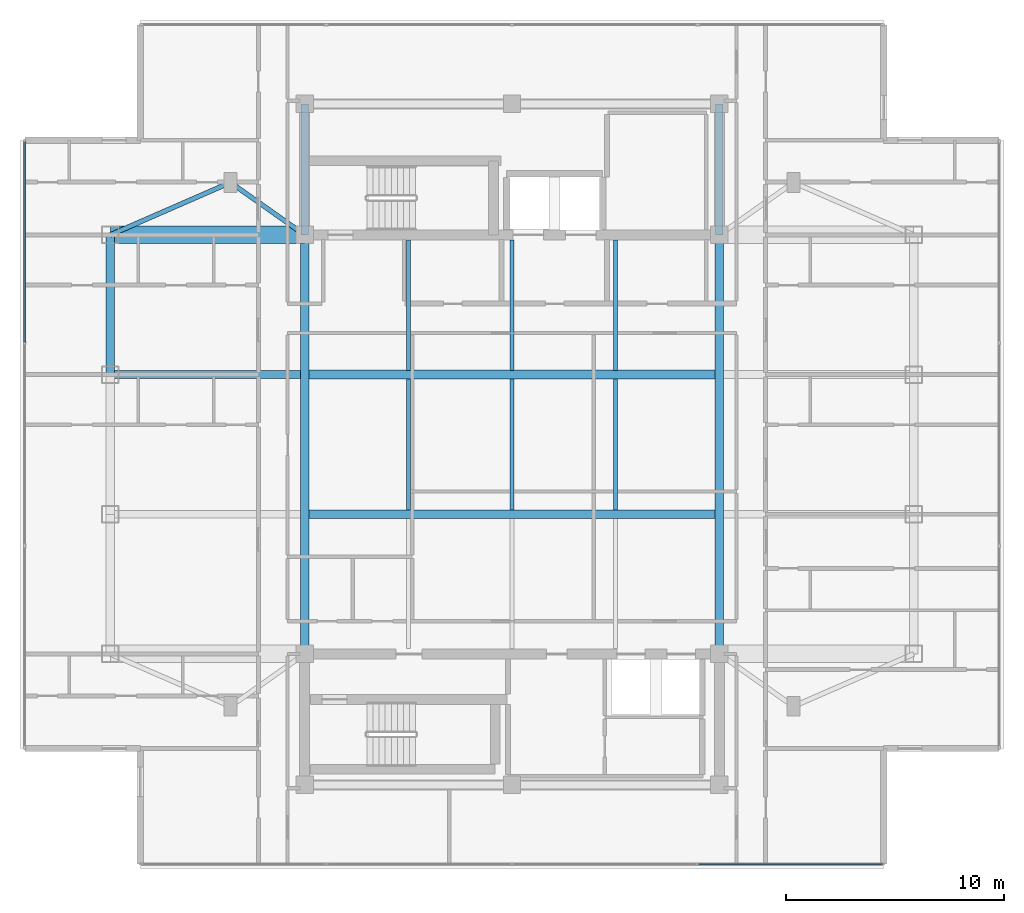
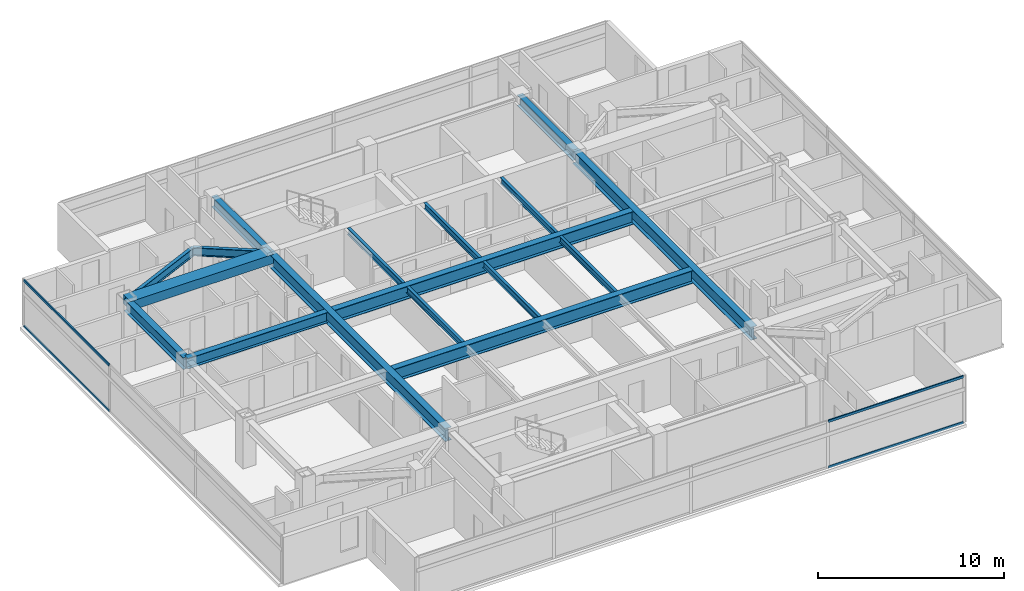
# One storey, part 3 of 14: 17 beams, 4 members, 2 elements without a shape of their own.
"""IFC4 building model written with IfcOpenShell, lengths in metres."""

import ifcopenshell
import ifcopenshell.guid

model = None  # the IFC model being written
_history = None  # IfcOwnerHistory: only IFC2X3 demands one
_inside = {}  # id of a spatial element -> (the spatial element, [elements in it])
_under = {}  # id of a project, library or spatial element -> (it, [spatial elements below it])
_declared = {}  # id of a project -> (the project, [libraries it declares])
_typed = {}  # id of a type object -> (the type object, [elements of that type])
_made_of = {}  # id of a material, layer set ... -> (it, [elements and type objects made of it])


def new_model(schema):
    """Start an empty IFC model of exactly this schema.

    Asked for "IFC4X3", IfcOpenShell would pick the latest addendum, in which some entities
    have other attributes; the version numbers below select the first issue.
    IFC2X3 requires an IfcOwnerHistory on every rooted entity: one is made here for all.
    """
    global model, _history
    if schema == "IFC4X3":
        model = ifcopenshell.file(schema_version=(4, 3, 0, 0))
    else:
        model = ifcopenshell.file(schema=schema)
    _inside.clear()
    _under.clear()
    _declared.clear()
    _typed.clear()
    _made_of.clear()
    _history = None
    if model.schema == "IFC2X3":
        org = make("IfcOrganization", Name="unknown")
        user = make(
            "IfcPersonAndOrganization",
            ThePerson=make("IfcPerson", FamilyName="unknown"),
            TheOrganization=org,
        )
        app = make(
            "IfcApplication",
            ApplicationDeveloper=org,
            Version="unknown",
            ApplicationFullName="unknown",
            ApplicationIdentifier="unknown",
        )
        _history = make(
            "IfcOwnerHistory",
            OwningUser=user,
            OwningApplication=app,
            ChangeAction="ADDED",
            CreationDate=0,
        )
    return model


def make(cls, **values):
    """One entity of the class cls with the attributes given. An attribute that is None is left unset."""
    return model.create_entity(
        cls, **{name: value for name, value in values.items() if value is not None}
    )


def rooted(cls, **values):
    """An entity with a GlobalId (a new one), such as an element, a storey or a relation."""
    return make(cls, GlobalId=ifcopenshell.guid.new(), OwnerHistory=_history, **values)


def si_unit(unit_type, name, prefix=None):
    """IfcSIUnit, for example si_unit("LENGTHUNIT", "METRE", prefix="MILLI")."""
    return make("IfcSIUnit", UnitType=unit_type, Prefix=prefix, Name=name)


def assignment(units):
    """IfcUnitAssignment: the units of a project."""
    return None if units is None else make("IfcUnitAssignment", Units=units)


def point(xyz):
    """IfcCartesianPoint."""
    return None if xyz is None else make("IfcCartesianPoint", Coordinates=xyz)


def direction(xyz):
    """IfcDirection."""
    return None if xyz is None else make("IfcDirection", DirectionRatios=xyz)


def frame(location, z_axis=None, x_axis=None):
    """IfcAxis2Placement3D, a coordinate frame: its origin and axes. An axis left out is left unset."""
    return make(
        "IfcAxis2Placement3D",
        Location=point(location),
        Axis=direction(z_axis),
        RefDirection=direction(x_axis),
    )


def frame_2d(location, x_axis=None):
    """IfcAxis2Placement2D, a coordinate frame in the plane: its origin and x axis."""
    return make(
        "IfcAxis2Placement2D", Location=point(location), RefDirection=direction(x_axis)
    )


def origin():
    """The frame at (0, 0, 0) with its axes left unset."""
    return frame((0.0, 0.0, 0.0))


def origin_2d():
    """The frame at (0, 0) in the plane with its x axis left unset."""
    return frame_2d((0.0, 0.0))


def place(relative_to, where):
    """IfcLocalPlacement: puts the frame where relative to a parent placement (None: the world)."""
    return make(
        "IfcLocalPlacement", PlacementRelTo=relative_to, RelativePlacement=where
    )


def context(
    kind, dimensions, precision=None, world=None, true_north=None, identifier=None
):
    """IfcGeometricRepresentationContext, for example the 3D "Model" context."""
    return make(
        "IfcGeometricRepresentationContext",
        ContextIdentifier=identifier,
        ContextType=kind,
        CoordinateSpaceDimension=dimensions,
        Precision=precision,
        WorldCoordinateSystem=world,
        TrueNorth=true_north,
    )


def subcontext(parent, identifier, kind, view, scale=None):
    """IfcGeometricRepresentationSubContext, for example "Body" below "Model"."""
    return make(
        "IfcGeometricRepresentationSubContext",
        ContextIdentifier=identifier,
        ContextType=kind,
        ParentContext=parent,
        TargetScale=scale,
        TargetView=view,
    )


def project(units=None, contexts=None):
    """IfcProject with its units and contexts."""
    return rooted(
        "IfcProject",
        Name="project",
        RepresentationContexts=contexts,
        UnitsInContext=assignment(units),
    )


def spatial(cls, under=None, at=None, **own):
    """A site, building, storey or space (cls), placed at a placement, below another one or the project."""
    s = rooted(cls, ObjectPlacement=at, **own)
    if under is not None:
        _under.setdefault(under.id(), (under, []))[1].append(s)
    return s


def profile(cls, at=None, kind="AREA", **sizes):
    """A parametric profile (cls). Its sizes go by their IFC names, for example OverallWidth=200.0."""
    return make(cls, ProfileType=kind, Position=at, **sizes)


def rectangle(**sizes):
    """IfcRectangleProfileDef."""
    return profile("IfcRectangleProfileDef", **sizes)


def i_section(**sizes):
    """IfcIShapeProfileDef."""
    return profile("IfcIShapeProfileDef", **sizes)


def extrude(swept, where, along, depth):
    """IfcExtrudedAreaSolid: the profile swept, set in the frame where, extruded along a direction by depth."""
    return make(
        "IfcExtrudedAreaSolid",
        SweptArea=swept,
        Position=where,
        ExtrudedDirection=direction(along),
        Depth=depth,
    )


def shape(context_of_items, identifier, shape_type, items):
    """IfcShapeRepresentation: the items that make up one representation, for example the "Body"."""
    return make(
        "IfcShapeRepresentation",
        ContextOfItems=context_of_items,
        RepresentationIdentifier=identifier,
        RepresentationType=shape_type,
        Items=items,
    )


def material(Name=None, Category=None):
    """IfcMaterial."""
    return make("IfcMaterial", Name=Name, Category=Category)


def material_profile(
    of_material, cross_section, Name=None, Category=None, Priority=None
):
    """IfcMaterialProfile: a cross section and its material."""
    return make(
        "IfcMaterialProfile",
        Name=Name,
        Material=of_material,
        Profile=cross_section,
        Priority=Priority,
        Category=Category,
    )


def profile_set(profiles, Name=None, composite=None):
    """IfcMaterialProfileSet."""
    return make(
        "IfcMaterialProfileSet",
        Name=Name,
        MaterialProfiles=profiles,
        CompositeProfile=composite,
    )


def made_of(thing, what):
    """Note that an element or type object is made of a material, layer set ...; save() writes the relation."""
    if what is not None:
        _made_of.setdefault(what.id(), (what, []))[1].append(thing)
    return thing


def type_object(cls, material=None, **own):
    """A type object (cls), such as IfcWallType, which elements share."""
    return made_of(rooted(cls, **own), material)


def element(
    cls,
    number,
    at=None,
    inside=None,
    cuts=None,
    type_object=None,
    material=None,
    context=None,
    identifier="Body",
    shape_type=None,
    held_by="IfcProductDefinitionShape",
    body=None,
    shapes=None,
    **own,
):
    """One element of the class cls, such as IfcWall. Its Tag is "e" and its number.

    at: its placement. inside: the storey or other place that contains it. cuts: it is an
    opening in that element (IfcRelVoidsElement). A single representation is given by context,
    identifier, shape_type and body (its items); several are given by shapes. held_by: the class
    of the entity that holds the representations. save() writes the other relations.
    """
    e = rooted(cls, Tag="e%d" % number, ObjectPlacement=at, **own)
    if body is not None:
        shapes = [shape(context, identifier, shape_type, body)]
    if shapes is not None:
        e.Representation = make(held_by, Representations=shapes)
    if inside is not None:
        _inside.setdefault(inside.id(), (inside, []))[1].append(e)
    if cuts is not None:
        rooted(
            "IfcRelVoidsElement", RelatingBuildingElement=cuts, RelatedOpeningElement=e
        )
    if type_object is not None:
        _typed.setdefault(type_object.id(), (type_object, []))[1].append(e)
    return made_of(e, material)


def aggregate(whole, parts):
    """IfcRelAggregates: a whole, such as a stair, and the parts it consists of."""
    return rooted("IfcRelAggregates", RelatingObject=whole, RelatedObjects=parts)


def save(model, path):
    """Write the relations noted so far, then the file.

    IfcRelAggregates (storeys below a building ...), IfcRelContainedInSpatialStructure (elements
    in a storey), IfcRelDefinesByType, IfcRelAssociatesMaterial and IfcRelDeclares: one each for
    every whole, place, type object, material and project.
    """
    for whole, parts in _under.values():
        aggregate(whole, parts)
    for where, things in _inside.values():
        rooted(
            "IfcRelContainedInSpatialStructure",
            RelatedElements=things,
            RelatingStructure=where,
        )
    for kind, things in _typed.values():
        rooted("IfcRelDefinesByType", RelatedObjects=things, RelatingType=kind)
    for what, things in _made_of.values():
        rooted("IfcRelAssociatesMaterial", RelatedObjects=things, RelatingMaterial=what)
    for by, libraries in _declared.values():
        rooted("IfcRelDeclares", RelatingContext=by, RelatedDefinitions=libraries)
    model.write(path)


model = new_model("IFC4")

# Units and contexts
model_context = context("Model", 3, precision=1e-05, world=origin(), true_north=direction((0.0, 1.0)))
body_context = subcontext(model_context, "Body", "Model", "MODEL_VIEW")
ifc_project = project(units=[si_unit("LENGTHUNIT", "METRE"), si_unit("AREAUNIT", "SQUARE_METRE"), si_unit("VOLUMEUNIT", "CUBIC_METRE"), si_unit("PLANEANGLEUNIT", "RADIAN"), si_unit("MASSUNIT", "GRAM", prefix="KILO")], contexts=[model_context])

# Site, building, storey
site_placement = place(None, origin())
site = spatial("IfcSite", under=ifc_project, at=site_placement, CompositionType="ELEMENT")
building_placement = place(site_placement, origin())
building = spatial("IfcBuilding", under=site, at=building_placement, Name="Mirazonda Arch Towers", CompositionType="ELEMENT")
storey_placement = place(building_placement, frame((0.0, 0.0, 245.800048828125)))
storey = spatial("IfcBuildingStorey", under=building, at=storey_placement, Name="L70", CompositionType="ELEMENT", Elevation=245.800048828125)

# Beams
ifc_material_1 = material(Name="Steel ASTM A992 Grade 50", Category="steel")
ifc_material_profile_1 = material_profile(ifc_material_1, i_section(OverallWidth=0.381103515625, OverallDepth=0.77294921875, WebThickness=0.0166015625, FlangeThickness=0.027099609375, at=origin_2d()), Name="W30X173")
ifc_profile_set_1 = profile_set([ifc_material_profile_1], Name="Steel ASTM A992 Grade 50")
beam_type_1 = type_object("IfcBeamType", Name="BM-EXT-W30X173", PredefinedType="USERDEFINED", material=ifc_profile_set_1)
beam_1_placement = place(storey_placement, frame((2.10009765625, 31.199951171875, 2.71337890625), z_axis=(0.0, 1.0, 0.0), x_axis=(-1.0, 0.0, 0.0)))
element("IfcBeam", 1, at=beam_1_placement, inside=storey, type_object=beam_type_1, Name="L70 Floor Beam BM-T1-L70-NS-W-31", ObjectType="GIRDER", PredefinedType="USERDEFINED", context=body_context, shape_type="SweptSolid", body=[
    extrude(i_section(OverallWidth=0.381103515625, OverallDepth=0.77294921875, WebThickness=0.0166015625, FlangeThickness=0.027099609375, at=origin_2d()), origin(), (0.0, 0.0, 1.0), 6.400146484375),
])
ifc_material_profile_2 = material_profile(ifc_material_1, i_section(OverallWidth=0.180908203125, OverallDepth=0.4169921875, WebThickness=0.010986328125, FlangeThickness=0.018310546875, at=origin_2d()), Name="W16X57")
ifc_profile_set_2 = profile_set([ifc_material_profile_2], Name="Steel ASTM A992 Grade 50")
beam_type_2 = type_object("IfcBeamType", Name="BM-INT-W16X57", PredefinedType="JOIST", material=ifc_profile_set_2)
beam_2_placement = place(storey_placement, frame((15.75, 31.39599609375, 2.891357421875), z_axis=(0.0, 1.0, 0.0), x_axis=(-1.0, 0.0, 0.0)))
element("IfcBeam", 2, at=beam_2_placement, inside=storey, type_object=beam_type_2, Name="L70 Floor Beam BM-T1-L70-J-157-31", PredefinedType="JOIST", context=body_context, shape_type="SweptSolid", body=[
    extrude(i_section(OverallWidth=0.180908203125, OverallDepth=0.4169921875, WebThickness=0.010986328125, FlangeThickness=0.018310546875, at=origin_2d()), origin(), (0.0, 0.0, 1.0), 5.964111328125),
])
beam_3_placement = place(storey_placement, frame((15.75, 24.99609375, 2.891357421875), z_axis=(0.0, 1.0, 0.0), x_axis=(-1.0, 0.0, 0.0)))
element("IfcBeam", 3, at=beam_3_placement, inside=storey, type_object=beam_type_2, Name="L70 Floor Beam BM-T1-L70-J-157-24", PredefinedType="JOIST", context=body_context, shape_type="SweptSolid", body=[
    extrude(i_section(OverallWidth=0.180908203125, OverallDepth=0.4169921875, WebThickness=0.010986328125, FlangeThickness=0.018310546875, at=origin_2d()), origin(), (0.0, 0.0, 1.0), 6.0078125),
])
beam_4_placement = place(storey_placement, frame((20.5, 31.39599609375, 2.891357421875), z_axis=(0.0, 1.0, 0.0), x_axis=(-1.0, 0.0, 0.0)))
element("IfcBeam", 4, at=beam_4_placement, inside=storey, type_object=beam_type_2, Name="L70 Floor Beam BM-T1-L70-J-205-31", PredefinedType="JOIST", context=body_context, shape_type="SweptSolid", body=[
    extrude(i_section(OverallWidth=0.180908203125, OverallDepth=0.4169921875, WebThickness=0.010986328125, FlangeThickness=0.018310546875, at=origin_2d()), origin(), (0.0, 0.0, 1.0), 5.964111328125),
])
beam_5_placement = place(storey_placement, frame((20.5, 24.99609375, 2.891357421875), z_axis=(0.0, 1.0, 0.0), x_axis=(-1.0, 0.0, 0.0)))
element("IfcBeam", 5, at=beam_5_placement, inside=storey, type_object=beam_type_2, Name="L70 Floor Beam BM-T1-L70-J-205-24", PredefinedType="JOIST", context=body_context, shape_type="SweptSolid", body=[
    extrude(i_section(OverallWidth=0.180908203125, OverallDepth=0.4169921875, WebThickness=0.010986328125, FlangeThickness=0.018310546875, at=origin_2d()), origin(), (0.0, 0.0, 1.0), 6.0078125),
])
beam_6_placement = place(storey_placement, frame((25.25, 31.39599609375, 2.891357421875), z_axis=(0.0, 1.0, 0.0), x_axis=(-1.0, 0.0, 0.0)))
element("IfcBeam", 6, at=beam_6_placement, inside=storey, type_object=beam_type_2, Name="L70 Floor Beam BM-T1-L70-J-252-31", PredefinedType="JOIST", context=body_context, shape_type="SweptSolid", body=[
    extrude(i_section(OverallWidth=0.180908203125, OverallDepth=0.4169921875, WebThickness=0.010986328125, FlangeThickness=0.018310546875, at=origin_2d()), origin(), (0.0, 0.0, 1.0), 5.964111328125),
])
beam_7_placement = place(storey_placement, frame((25.25, 24.99609375, 2.891357421875), z_axis=(0.0, 1.0, 0.0), x_axis=(-1.0, 0.0, 0.0)))
element("IfcBeam", 7, at=beam_7_placement, inside=storey, type_object=beam_type_2, Name="L70 Floor Beam BM-T1-L70-J-252-24", PredefinedType="JOIST", context=body_context, shape_type="SweptSolid", body=[
    extrude(i_section(OverallWidth=0.180908203125, OverallDepth=0.4169921875, WebThickness=0.010986328125, FlangeThickness=0.018310546875, at=origin_2d()), origin(), (0.0, 0.0, 1.0), 6.0078125),
])
ifc_material_profile_3 = material_profile(ifc_material_1, i_section(OverallWidth=0.214111328125, OverallDepth=0.549072265625, WebThickness=0.0146484375, FlangeThickness=0.023681640625, at=origin_2d()), Name="W21X93")
ifc_profile_set_3 = profile_set([ifc_material_profile_3], Name="Steel ASTM A992 Grade 50")
beam_type_3 = type_object("IfcBeamType", Name="BM-INT-W21X93", PredefinedType="BEAM", material=ifc_profile_set_3)
beam_8_placement = place(storey_placement, frame((7.60009765625, 40.0, 2.825439453125), z_axis=(0.816971114901, -0.576678591087, 0.0), x_axis=(0.576678591087, 0.816971114901, 0.0)))
element("IfcBeam", 8, at=beam_8_placement, inside=storey, type_object=beam_type_3, Name="L70 Floor Beam BM-T1-L70-PL-NW1", PredefinedType="BEAM", context=body_context, shape_type="SweptSolid", body=[
    extrude(i_section(OverallWidth=0.214111328125, OverallDepth=0.549072265625, WebThickness=0.0146484375, FlangeThickness=0.023681640625, at=origin_2d()), origin(), (0.0, 0.0, 1.0), 4.16162109375),
])
beam_9_placement = place(storey_placement, frame((7.60009765625, 40.0, 2.825439453125), z_axis=(-0.916545343703, -0.399930785183, 0.0), x_axis=(0.399930785183, -0.916545343703, 0.0)))
element("IfcBeam", 9, at=beam_9_placement, inside=storey, type_object=beam_type_3, Name="L70 Floor Beam BM-T1-L70-PL-NW2", PredefinedType="BEAM", context=body_context, shape_type="SweptSolid", body=[
    extrude(i_section(OverallWidth=0.214111328125, OverallDepth=0.549072265625, WebThickness=0.0146484375, FlangeThickness=0.023681640625, at=origin_2d()), origin(), (0.0, 0.0, 1.0), 6.000732421875),
])
ifc_material_profile_4 = material_profile(ifc_material_1, i_section(OverallWidth=0.35498046875, OverallDepth=0.696044921875, WebThickness=0.015380859375, FlangeThickness=0.02490234375, at=origin_2d()), Name="W27X146")
ifc_profile_set_4 = profile_set([ifc_material_profile_4], Name="Steel ASTM A992 Grade 50")
beam_type_4 = type_object("IfcBeamType", Name="BM-INT-W27X146", PredefinedType="BEAM", material=ifc_profile_set_4)
beam_10_placement = place(storey_placement, frame((2.10009765625, 31.199951171875, 2.751953125), z_axis=(1.0, 0.0, 0.0), x_axis=(0.0, 1.0, 0.0)))
element("IfcBeam", 10, at=beam_10_placement, inside=storey, type_object=beam_type_4, Name="L70 Floor Beam BM-T1-L70-GW3", PredefinedType="BEAM", context=body_context, shape_type="SweptSolid", body=[
    extrude(i_section(OverallWidth=0.35498046875, OverallDepth=0.696044921875, WebThickness=0.015380859375, FlangeThickness=0.02490234375, at=origin_2d()), origin(), (0.0, 0.0, 1.0), 8.699951171875),
])
for number, where, z_axis, x_axis, name in (
    (11, (11.0, 37.60009765625, 2.751953125), (0.0, 1.0, 0.0), (-1.0, 0.0, 0.0), "L70 Floor Beam BM-T1-L70-CNW"),
    (12, (30.0, 37.60009765625, 2.751953125), (0.0, 1.0, 0.0), (-1.0, 0.0, 0.0), "L70 Floor Beam BM-T1-L70-CNE"),
):
    element("IfcBeam", number, at=place(storey_placement, frame(where, z_axis=z_axis, x_axis=x_axis)), inside=storey, type_object=beam_type_4, Name=name, PredefinedType="BEAM", context=body_context, shape_type="SweptSolid", body=[
        extrude(i_section(OverallWidth=0.35498046875, OverallDepth=0.696044921875, WebThickness=0.015380859375, FlangeThickness=0.02490234375, at=origin_2d()), origin(), (0.0, 0.0, 1.0), 6.0),
    ])
ifc_material_profile_5 = material_profile(ifc_material_1, i_section(OverallWidth=0.39990234375, OverallDepth=0.85595703125, WebThickness=0.018310546875, FlangeThickness=0.029296875, at=origin_2d()), Name="W33X201")
ifc_profile_set_5 = profile_set([ifc_material_profile_5], Name="Steel ASTM A992 Grade 50")
beam_type_5 = type_object("IfcBeamType", Name="BM-INT-W33X201", PredefinedType="USERDEFINED", material=ifc_profile_set_5)
for number, where, z_axis, x_axis, name in (
    (13, (11.199951171875, 24.800048828125, 2.671875), (1.0, 0.0, 0.0), (0.0, 1.0, 0.0), "L70 Floor Beam BM-T1-L70-GC2"),
    (14, (11.199951171875, 31.199951171875, 2.671875), (1.0, 0.0, 0.0), (0.0, 1.0, 0.0), "L70 Floor Beam BM-T1-L70-GC3"),
):
    element("IfcBeam", number, at=place(storey_placement, frame(where, z_axis=z_axis, x_axis=x_axis)), inside=storey, type_object=beam_type_5, Name=name, ObjectType="GIRDER", PredefinedType="USERDEFINED", context=body_context, shape_type="SweptSolid", body=[
        extrude(i_section(OverallWidth=0.39990234375, OverallDepth=0.85595703125, WebThickness=0.018310546875, FlangeThickness=0.029296875, at=origin_2d()), origin(), (0.0, 0.0, 1.0), 18.60009765625),
    ])
for number, where, z_axis, x_axis, name in (
    (15, (11.0, 18.39990234375, 2.671875), (0.0, 1.0, 0.0), (-1.0, 0.0, 0.0), "L70 Floor Beam BM-T1-L70-NS-CW-FULL"),
    (16, (30.0, 18.39990234375, 2.671875), (0.0, 1.0, 0.0), (-1.0, 0.0, 0.0), "L70 Floor Beam BM-T1-L70-NS-CE-FULL"),
):
    element("IfcBeam", number, at=place(storey_placement, frame(where, z_axis=z_axis, x_axis=x_axis)), inside=storey, type_object=beam_type_5, Name=name, ObjectType="GIRDER", PredefinedType="USERDEFINED", context=body_context, shape_type="SweptSolid", body=[
        extrude(i_section(OverallWidth=0.39990234375, OverallDepth=0.85595703125, WebThickness=0.018310546875, FlangeThickness=0.029296875, at=origin_2d()), origin(), (0.0, 0.0, 1.0), 19.2001953125),
    ])
ifc_material_2 = material(Name="Concrete C60/75", Category="concrete")
ifc_material_profile_6 = material_profile(ifc_material_2, rectangle(XDim=0.800048828125, YDim=0.60009765625, at=origin_2d()), Name="RCCB800x600")
ifc_profile_set_6 = profile_set([ifc_material_profile_6], Name="Concrete C60/75")
beam_type_6 = type_object("IfcBeamType", Name="CB-INT-RCCB800x600", PredefinedType="SPANDREL", material=ifc_profile_set_6)
beam_11_placement = place(storey_placement, frame((2.10009765625, 37.60009765625, 2.800048828125), z_axis=(1.0, 0.0, 0.0), x_axis=(0.0, 1.0, 0.0)))
element("IfcBeam", 17, at=beam_11_placement, inside=storey, type_object=beam_type_6, Name="L70 Floor Beam CBC-T1-L70-NW", PredefinedType="SPANDREL", context=body_context, shape_type="SweptSolid", body=[
    extrude(rectangle(XDim=0.800048828125, YDim=0.60009765625, at=origin_2d()), origin(), (0.0, 0.0, 1.0), 8.89990234375),
])

# Curtain wall, members
ifc_material_3 = material(Name="Anodised Aluminium and Low-E Glass", Category="aluminium")
curtain_wall_type = type_object("IfcCurtainWallType", Name="CW-RES-UNIT", PredefinedType="NOTDEFINED", material=ifc_material_3)
curtain_wall_1_placement = place(storey_placement, origin())
curtain_wall_1 = element("IfcCurtainWall", 18, at=curtain_wall_1_placement, inside=storey, type_object=curtain_wall_type, Name="L70 T1 S Facade CW-L70-T1-S", PredefinedType="NOTDEFINED")
ifc_material_4 = material(Name="Anodised Aluminium Alloy", Category="aluminium")
ifc_material_profile_7 = material_profile(ifc_material_4, rectangle(XDim=0.074951171875, YDim=0.155029296875, at=origin_2d()), Name="ALU-TRAN-75x155")
ifc_profile_set_7 = profile_set([ifc_material_profile_7], Name="Anodised Aluminium Alloy")
member_type = type_object("IfcMemberType", Name="TRAN-CW-RES-UNIT", PredefinedType="USERDEFINED", material=ifc_profile_set_7)
member_1_placement = place(storey_placement, frame((37.455078125, 8.77587890625, 0.037353515625), z_axis=(-1.0, 0.0, 0.0), x_axis=(0.0, -1.0, 0.0)))
member_1 = element("IfcMember", 19, at=member_1_placement, type_object=member_type, Name="CW-104 transom 1.1", ObjectType="TRANSOM", PredefinedType="USERDEFINED", context=body_context, shape_type="SweptSolid", body=[
    extrude(rectangle(XDim=0.074951171875, YDim=0.155029296875, at=origin_2d()), origin(), (0.0, 0.0, 1.0), 8.402587890625),
])
member_2_placement = place(storey_placement, frame((37.455078125, 8.77587890625, 3.04248046875), z_axis=(-1.0, 0.0, 0.0), x_axis=(0.0, -1.0, 0.0)))
member_2 = element("IfcMember", 20, at=member_2_placement, type_object=member_type, Name="CW-104 transom 1.2", ObjectType="TRANSOM", PredefinedType="USERDEFINED", context=body_context, shape_type="SweptSolid", body=[
    extrude(rectangle(XDim=0.074951171875, YDim=0.155029296875, at=origin_2d()), origin(), (0.0, 0.0, 1.0), 8.402587890625),
])
aggregate(curtain_wall_1, [member_1, member_2])

curtain_wall_2_placement = place(storey_placement, origin())
curtain_wall_2 = element("IfcCurtainWall", 21, at=curtain_wall_2_placement, inside=storey, type_object=curtain_wall_type, Name="L70 T1 W Facade CW-L70-T1-W", PredefinedType="NOTDEFINED")
member_3_placement = place(storey_placement, frame((-1.820068359375, 41.85888671875, 0.037353515625), z_axis=(0.0, -1.0, 0.0), x_axis=(1.0, 0.0, 0.0)))
member_3 = element("IfcMember", 22, at=member_3_placement, type_object=member_type, Name="CW-104 transom 1.1", ObjectType="TRANSOM", PredefinedType="USERDEFINED", context=body_context, shape_type="SweptSolid", body=[
    extrude(rectangle(XDim=0.074951171875, YDim=0.155029296875, at=origin_2d()), origin(), (0.0, 0.0, 1.0), 9.1767578125),
])
member_4_placement = place(storey_placement, frame((-1.820068359375, 41.85888671875, 3.04248046875), z_axis=(0.0, -1.0, 0.0), x_axis=(1.0, 0.0, 0.0)))
member_4 = element("IfcMember", 23, at=member_4_placement, type_object=member_type, Name="CW-104 transom 1.2", ObjectType="TRANSOM", PredefinedType="USERDEFINED", context=body_context, shape_type="SweptSolid", body=[
    extrude(rectangle(XDim=0.074951171875, YDim=0.155029296875, at=origin_2d()), origin(), (0.0, 0.0, 1.0), 9.1767578125),
])
aggregate(curtain_wall_2, [member_3, member_4])

save(model, "model.ifc")
